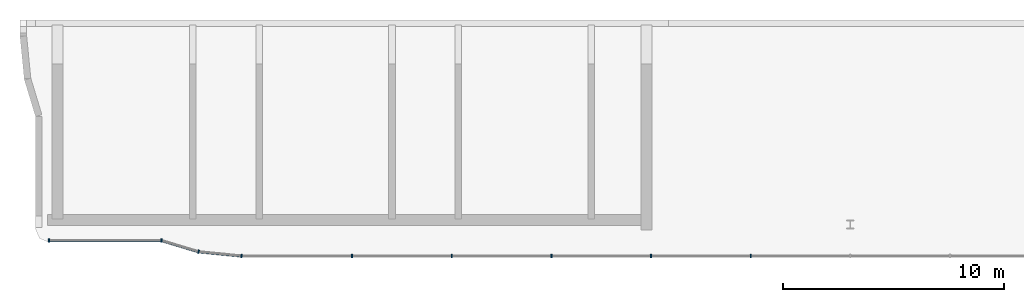
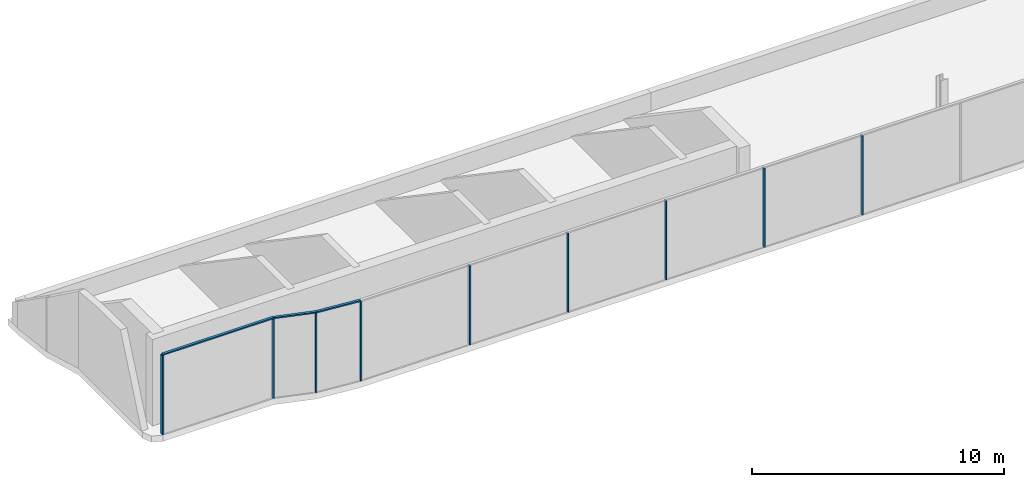
# One storey, part 2 of 5: 12 members, 4 elements without a shape of their own.
"""IFC4 building model written with IfcOpenShell, lengths in metres."""

from ifc_helpers import new_model, si_unit, direction, frame, origin, origin_2d, place, context, subcontext, project, spatial, rectangle, extrude, material, material_profile, profile_set, type_object, element, aggregate, save


model = new_model("IFC4")

# Units and contexts
model_context = context("Model", 3, precision=1e-05, world=origin(), true_north=direction((0.0, 1.0)))
body_context = subcontext(model_context, "Body", "Model", "MODEL_VIEW")
ifc_project = project(units=[si_unit("LENGTHUNIT", "METRE"), si_unit("AREAUNIT", "SQUARE_METRE"), si_unit("VOLUMEUNIT", "CUBIC_METRE"), si_unit("PLANEANGLEUNIT", "RADIAN"), si_unit("MASSUNIT", "GRAM", prefix="KILO")], contexts=[model_context])

# Site, building, storey
site_placement = place(None, origin())
site = spatial("IfcSite", under=ifc_project, at=site_placement, CompositionType="ELEMENT")
building_placement = place(site_placement, origin())
building = spatial("IfcBuilding", under=site, at=building_placement, Name="Ogive Portal Towers", CompositionType="ELEMENT")
storey_placement = place(building_placement, frame((0.0, 0.0, 289.699951171875)))
storey = spatial("IfcBuildingStorey", under=building, at=storey_placement, Name="L70", CompositionType="ELEMENT", Elevation=289.699951171875)

# Curtain wall, members
ifc_material_1 = material(Name="Glass, clear low-iron insulated glazing", Category="glass")
curtain_wall_type = type_object("IfcCurtainWallType", Name="CW CROWN GLAZING", PredefinedType="NOTDEFINED", material=ifc_material_1)
curtain_wall_1_placement = place(storey_placement, origin())
curtain_wall_1 = element("IfcCurtainWall", 1, at=curtain_wall_1_placement, inside=storey, type_object=curtain_wall_type, Name="A:L70:c09:cw", PredefinedType="NOTDEFINED")
ifc_material_2 = material(Name="Aluminium 6063 anodised", Category="aluminium")
ifc_material_profile_1 = material_profile(ifc_material_2, rectangle(XDim=0.159912109375, YDim=0.06005859375, at=origin_2d()), Name="AL 60x160")
ifc_profile_set_1 = profile_set([ifc_material_profile_1], Name="Aluminium 6063 anodised")
member_type_1 = type_object("IfcMemberType", Name="CW MULLION 60x160", PredefinedType="MULLION", material=ifc_profile_set_1)
member_1_placement = place(storey_placement, frame((31.31591796875, 20.780029296875, 0.0), z_axis=(0.0, 0.0, 1.0), x_axis=(0.0, 1.0, 0.0)))
member_1 = element("IfcMember", 2, at=member_1_placement, type_object=member_type_1, Name="mullion", PredefinedType="MULLION", context=body_context, shape_type="SweptSolid", body=[
    extrude(rectangle(XDim=0.159912109375, YDim=0.06005859375, at=origin_2d()), origin(), (0.0, 0.0, 1.0), 3.840087890625),
])
member_2_placement = place(storey_placement, frame((36.38671875, 20.780029296875, 0.0), z_axis=(0.0, 0.0, 1.0), x_axis=(0.0, 1.0, 0.0)))
member_2 = element("IfcMember", 3, at=member_2_placement, type_object=member_type_1, Name="mullion", PredefinedType="MULLION", context=body_context, shape_type="SweptSolid", body=[
    extrude(rectangle(XDim=0.159912109375, YDim=0.06005859375, at=origin_2d()), origin(), (0.0, 0.0, 1.0), 3.840087890625),
])

# Curtain wall, member
curtain_wall_2_placement = place(storey_placement, origin())
curtain_wall_2 = element("IfcCurtainWall", 4, at=curtain_wall_2_placement, inside=storey, type_object=curtain_wall_type, Name="A:L70:c10:cw", PredefinedType="NOTDEFINED")
member_3_placement = place(storey_placement, frame((38.064697265625, 20.27099609375, 0.0), z_axis=(0.0, 0.0, 1.0), x_axis=(0.290284677254, 0.956940335732, 0.0)))
member_3 = element("IfcMember", 5, at=member_3_placement, type_object=member_type_1, Name="mullion", PredefinedType="MULLION", context=body_context, shape_type="SweptSolid", body=[
    extrude(rectangle(XDim=0.159912109375, YDim=0.06005859375, at=origin_2d()), origin(), (0.0, 0.0, 1.0), 3.840087890625),
])

curtain_wall_3_placement = place(storey_placement, origin())
curtain_wall_3 = element("IfcCurtainWall", 6, at=curtain_wall_3_placement, inside=storey, type_object=curtain_wall_type, Name="A:L70:c11:cw", PredefinedType="NOTDEFINED")
member_4_placement = place(storey_placement, frame((40.00390625, 20.080078125, 0.0), z_axis=(0.0, 0.0, 1.0), x_axis=(0.09801714033, 0.995184726672, 0.0)))
member_4 = element("IfcMember", 7, at=member_4_placement, type_object=member_type_1, Name="mullion", PredefinedType="MULLION", context=body_context, shape_type="SweptSolid", body=[
    extrude(rectangle(XDim=0.159912109375, YDim=0.06005859375, at=origin_2d()), origin(), (0.0, 0.0, 1.0), 3.840087890625),
])

# Curtain wall, members
curtain_wall_4_placement = place(storey_placement, origin())
curtain_wall_4 = element("IfcCurtainWall", 8, at=curtain_wall_4_placement, inside=storey, type_object=curtain_wall_type, Name="A:L70:c12:cw", PredefinedType="NOTDEFINED")
member_5_placement = place(storey_placement, frame((45.0, 20.080078125, 0.0), z_axis=(0.0, 0.0, 1.0), x_axis=(0.0, 1.0, 0.0)))
member_5 = element("IfcMember", 9, at=member_5_placement, type_object=member_type_1, Name="mullion", PredefinedType="MULLION", context=body_context, shape_type="SweptSolid", body=[
    extrude(rectangle(XDim=0.159912109375, YDim=0.06005859375, at=origin_2d()), origin(), (0.0, 0.0, 1.0), 3.840087890625),
])
member_6_placement = place(storey_placement, frame((49.5, 20.080078125, 0.0), z_axis=(0.0, 0.0, 1.0), x_axis=(0.0, 1.0, 0.0)))
member_6 = element("IfcMember", 10, at=member_6_placement, type_object=member_type_1, Name="mullion", PredefinedType="MULLION", context=body_context, shape_type="SweptSolid", body=[
    extrude(rectangle(XDim=0.159912109375, YDim=0.06005859375, at=origin_2d()), origin(), (0.0, 0.0, 1.0), 3.840087890625),
])
member_7_placement = place(storey_placement, frame((54.0, 20.080078125, 0.0), z_axis=(0.0, 0.0, 1.0), x_axis=(0.0, 1.0, 0.0)))
member_7 = element("IfcMember", 11, at=member_7_placement, type_object=member_type_1, Name="mullion", PredefinedType="MULLION", context=body_context, shape_type="SweptSolid", body=[
    extrude(rectangle(XDim=0.159912109375, YDim=0.06005859375, at=origin_2d()), origin(), (0.0, 0.0, 1.0), 3.840087890625),
])
member_8_placement = place(storey_placement, frame((58.5, 20.080078125, 0.0), z_axis=(0.0, 0.0, 1.0), x_axis=(0.0, 1.0, 0.0)))
member_8 = element("IfcMember", 12, at=member_8_placement, type_object=member_type_1, Name="mullion", PredefinedType="MULLION", context=body_context, shape_type="SweptSolid", body=[
    extrude(rectangle(XDim=0.159912109375, YDim=0.06005859375, at=origin_2d()), origin(), (0.0, 0.0, 1.0), 3.840087890625),
])
member_9_placement = place(storey_placement, frame((63.0, 20.080078125, 0.0), z_axis=(0.0, 0.0, 1.0), x_axis=(0.0, 1.0, 0.0)))
member_9 = element("IfcMember", 13, at=member_9_placement, type_object=member_type_1, Name="mullion", PredefinedType="MULLION", context=body_context, shape_type="SweptSolid", body=[
    extrude(rectangle(XDim=0.159912109375, YDim=0.06005859375, at=origin_2d()), origin(), (0.0, 0.0, 1.0), 3.840087890625),
])
aggregate(curtain_wall_4, [member_5, member_6, member_7, member_8, member_9])

# Member
ifc_material_profile_2 = material_profile(ifc_material_2, rectangle(XDim=0.1201171875, YDim=0.06005859375, at=origin_2d()), Name="AL 120x60")
ifc_profile_set_2 = profile_set([ifc_material_profile_2], Name="Aluminium 6063 anodised")
member_type_2 = type_object("IfcMemberType", Name="CW TRANSOM 60x120", PredefinedType="USERDEFINED", material=ifc_profile_set_2)
member_10_placement = place(storey_placement, frame((31.31591796875, 20.780029296875, 3.8701171875), z_axis=(1.0, 0.0, 0.0), x_axis=(0.0, 1.0, 0.0)))
member_10 = element("IfcMember", 14, at=member_10_placement, type_object=member_type_2, Name="transom", ObjectType="TRANSOM", PredefinedType="USERDEFINED", context=body_context, shape_type="SweptSolid", body=[
    extrude(rectangle(XDim=0.1201171875, YDim=0.06005859375, at=origin_2d()), origin(), (0.0, 0.0, 1.0), 5.07080078125),
])

aggregate(curtain_wall_1, [member_10, member_1, member_2])

member_11_placement = place(storey_placement, frame((36.38671875, 20.780029296875, 3.8701171875), z_axis=(0.956936535945, -0.290297203178, 0.0), x_axis=(0.290297203178, 0.956936535945, 0.0)))
member_11 = element("IfcMember", 15, at=member_11_placement, type_object=member_type_2, Name="transom", ObjectType="TRANSOM", PredefinedType="USERDEFINED", context=body_context, shape_type="SweptSolid", body=[
    extrude(rectangle(XDim=0.1201171875, YDim=0.06005859375, at=origin_2d()), origin(), (0.0, 0.0, 1.0), 1.75341796875),
])

aggregate(curtain_wall_2, [member_11, member_3])

member_12_placement = place(storey_placement, frame((38.064697265625, 20.27099609375, 3.8701171875), z_axis=(0.995188602778, -0.097977777587, 0.0), x_axis=(0.097977777587, 0.995188602778, 0.0)))
member_12 = element("IfcMember", 16, at=member_12_placement, type_object=member_type_2, Name="transom", ObjectType="TRANSOM", PredefinedType="USERDEFINED", context=body_context, shape_type="SweptSolid", body=[
    extrude(rectangle(XDim=0.1201171875, YDim=0.06005859375, at=origin_2d()), origin(), (0.0, 0.0, 1.0), 1.948486328125),
])

aggregate(curtain_wall_3, [member_12, member_4])

save(model, "model.ifc")
